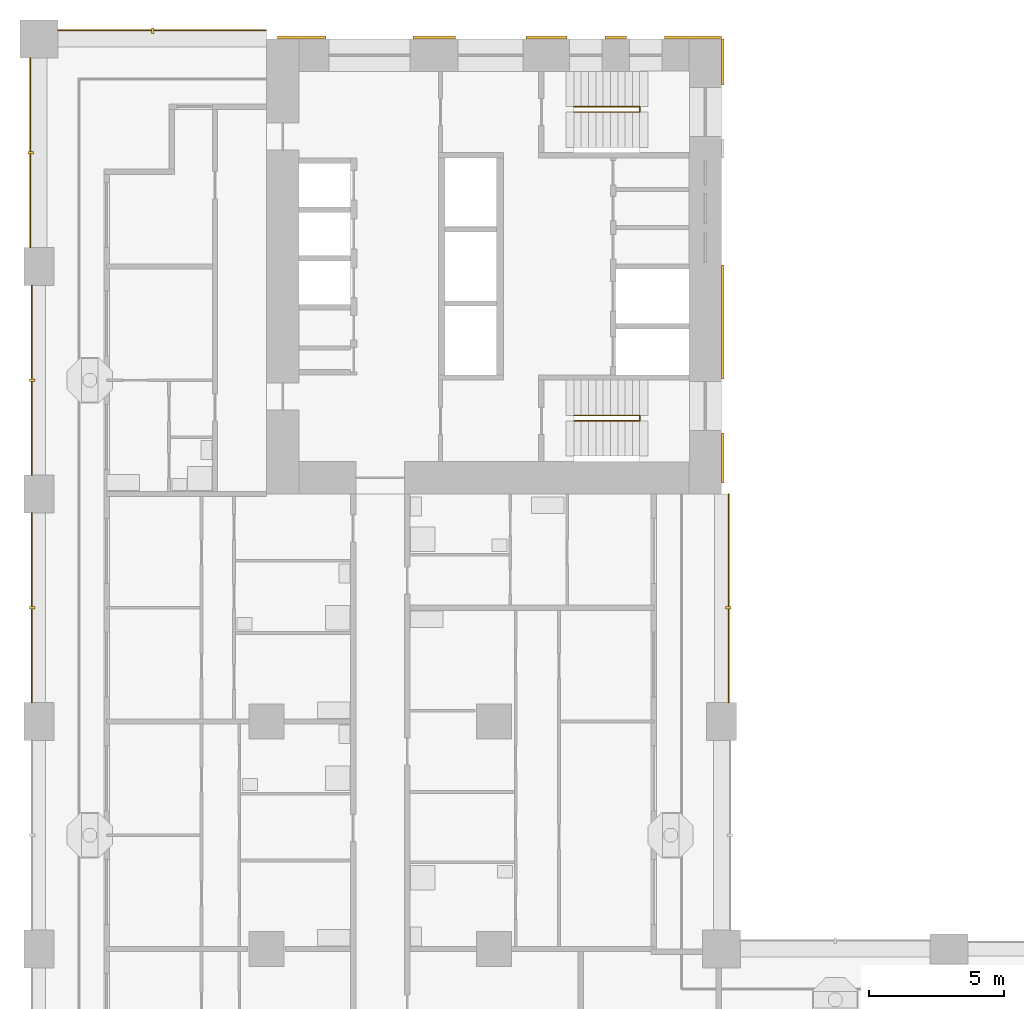
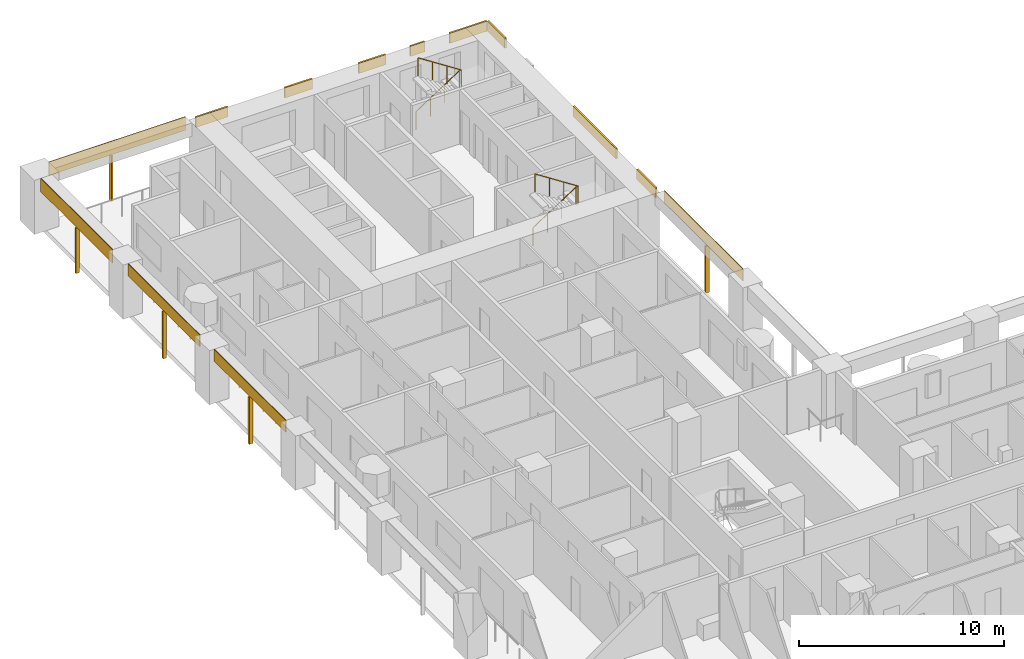
# One storey, part 16 of 22: 18 shading devices, 2 railings.
"""IFC4 building model written with IfcOpenShell, lengths in metres."""

from ifc_helpers import new_model, si_unit, direction, frame, origin, origin_2d, place, context, subcontext, project, spatial, rectangle, circle, extrude, material, layer, layer_set, material_profile, profile_set, type_object, element, save


model = new_model("IFC4")

# Units and contexts
model_context = context("Model", 3, precision=1e-05, world=origin(), true_north=direction((0.0, 1.0)))
body_context = subcontext(model_context, "Body", "Model", "MODEL_VIEW")
ifc_project = project(units=[si_unit("LENGTHUNIT", "METRE"), si_unit("AREAUNIT", "SQUARE_METRE"), si_unit("VOLUMEUNIT", "CUBIC_METRE"), si_unit("PLANEANGLEUNIT", "RADIAN"), si_unit("MASSUNIT", "GRAM", prefix="KILO")], contexts=[model_context])

# Site, building, storey
site_placement = place(None, origin())
site = spatial("IfcSite", under=ifc_project, at=site_placement, CompositionType="ELEMENT")
building_placement = place(site_placement, origin())
building = spatial("IfcBuilding", under=site, at=building_placement, Name="Vermilion Gate Residences", CompositionType="ELEMENT")
storey_placement = place(building_placement, frame((0.0, 0.0, 56.699951171875)))
storey = spatial("IfcBuildingStorey", under=building, at=storey_placement, Name="L13", CompositionType="ELEMENT", Elevation=56.699951171875)

# Shading devices
ifc_material_1 = material(Name="Perforated terracotta", Category="masonry")
ifc_layer_1 = layer(ifc_material_1, 0.0400390625)
ifc_layer_set_1 = layer_set([ifc_layer_1], Name="PERFORATED TERRACOTTA SCREEN 40")
shading_device_type_1 = type_object("IfcShadingDeviceType", Name="PERFORATED TERRACOTTA SCREEN 40", PredefinedType="SHUTTER", material=ifc_layer_set_1)
shading_device_1_placement = place(storey_placement, frame((25.469970703125, 38.14990234375, 2.52001953125), z_axis=(0.0, 0.0, 1.0), x_axis=(0.0, 1.0, 0.0)))
element("IfcShadingDevice", 1, at=shading_device_1_placement, inside=storey, type_object=shading_device_type_1, Name="SCREEN", PredefinedType="SHUTTER", context=body_context, shape_type="SweptSolid", body=[
    extrude(rectangle(XDim=7.699951171875, YDim=0.0400390625, at=origin_2d()), origin(), (0.0, 0.0, 1.0), 0.699951171875),
])
shading_device_2_placement = place(storey_placement, frame((4.550048828125, 59.1201171875, 2.419921875), z_axis=(0.0, 0.0, 1.0), x_axis=(-1.0, 0.0, 0.0)))
element("IfcShadingDevice", 2, at=shading_device_2_placement, inside=storey, type_object=shading_device_type_1, Name="SCREEN", PredefinedType="SHUTTER", context=body_context, shape_type="SweptSolid", body=[
    extrude(rectangle(XDim=7.699951171875, YDim=0.0400390625, at=origin_2d()), origin(), (0.0, 0.0, 1.0), 0.800048828125),
])
for number, where, z_axis, x_axis, name in (
    (3, (-0.27001953125, 37.800048828125, 2.52001953125), (0.0, 0.0, 1.0), (0.0, -1.0, 0.0), "SCREEN"),
    (4, (-0.27001953125, 46.199951171875, 2.52001953125), (0.0, 0.0, 1.0), (0.0, -1.0, 0.0), "SCREEN"),
):
    element("IfcShadingDevice", number, at=place(storey_placement, frame(where, z_axis=z_axis, x_axis=x_axis)), inside=storey, type_object=shading_device_type_1, Name=name, PredefinedType="SHUTTER", context=body_context, shape_type="SweptSolid", body=[
        extrude(rectangle(XDim=7.0, YDim=0.0400390625, at=origin_2d()), origin(), (0.0, 0.0, 1.0), 0.699951171875),
    ])
shading_device_3_placement = place(storey_placement, frame((-0.320068359375, 54.60009765625, 2.419921875), z_axis=(0.0, 0.0, 1.0), x_axis=(0.0, -1.0, 0.0)))
element("IfcShadingDevice", 5, at=shading_device_3_placement, inside=storey, type_object=shading_device_type_1, Name="SCREEN", PredefinedType="SHUTTER", context=body_context, shape_type="SweptSolid", body=[
    extrude(rectangle(XDim=7.0, YDim=0.0400390625, at=origin_2d()), origin(), (0.0, 0.0, 1.0), 0.800048828125),
])

# Railings
ifc_material_2 = material(Name="Steel S355", Category="steel")
railing_type = type_object("IfcRailingType", Name="STAIR GUARD 1100 STEEL", PredefinedType="GUARDRAIL", material=ifc_material_2)
for number, where, name in (
    (6, (19.75, 56.300048828125, 0.175048828125), "Stair well guard STB1-13"),
    (7, (19.75, 44.89990234375, 0.175048828125), "Stair well guard STB2-13"),
):
    element("IfcRailing", number, at=place(storey_placement, frame(where)), inside=storey, type_object=railing_type, Name=name, PredefinedType="GUARDRAIL", context=body_context, shape_type="SweptSolid", body=[
        extrude(circle(Radius=0.02392578125, at=origin_2d()), frame((0.0, 0.0, 1.076171875), z_axis=(0.839153699163, 0.0, 0.543894354798), x_axis=(0.0, 1.0, 0.0)), (0.0, 0.0, 1.0), 2.895751953125),
        extrude(circle(Radius=0.02392578125, at=origin_2d()), frame((2.429931640625, 0.0, 2.65087890625), z_axis=(0.0, -0.752405939678, 0.658699705433), x_axis=(1.0, 0.0, 0.0)), (0.0, 0.0, 1.0), 0.265869140625),
        extrude(circle(Radius=0.02392578125, at=origin_2d()), frame((2.429931640625, -0.199951171875, 2.826171875), z_axis=(-0.839153699163, 0.0, 0.543894354798), x_axis=(0.0, -1.0, 0.0)), (0.0, 0.0, 1.0), 2.895751953125),
        extrude(circle(Radius=0.02099609375, at=origin_2d()), origin(), (0.0, 0.0, 1.0), 1.052001953125),
        extrude(circle(Radius=0.02099609375, at=origin_2d()), frame((0.81005859375, 0.0, 0.52490234375)), (0.0, 0.0, 1.0), 1.052001953125),
        extrude(circle(Radius=0.02099609375, at=origin_2d()), frame((1.619873046875, 0.0, 1.050048828125)), (0.0, 0.0, 1.0), 1.052001953125),
        extrude(circle(Radius=0.02099609375, at=origin_2d()), frame((2.429931640625, 0.0, 1.574951171875)), (0.0, 0.0, 1.0), 1.052001953125),
        extrude(circle(Radius=0.02099609375, at=origin_2d()), frame((2.429931640625, -0.199951171875, 1.75)), (0.0, 0.0, 1.0), 1.052001953125),
        extrude(circle(Radius=0.02099609375, at=origin_2d()), frame((1.619873046875, -0.199951171875, 2.27490234375)), (0.0, 0.0, 1.0), 1.052001953125),
        extrude(circle(Radius=0.02099609375, at=origin_2d()), frame((0.81005859375, -0.199951171875, 2.800048828125)), (0.0, 0.0, 1.0), 1.052001953125),
        extrude(circle(Radius=0.02099609375, at=origin_2d()), frame((0.0, -0.199951171875, 3.324951171875)), (0.0, 0.0, 1.0), 1.052001953125),
    ])

# Shading devices
ifc_material_3 = material(Name="Extruded terracotta", Category="masonry")
ifc_material_profile = material_profile(ifc_material_3, rectangle(XDim=0.199951171875, YDim=0.10009765625, at=origin_2d()), Name="BAGUETTE 100 X 200")
ifc_profile_set = profile_set([ifc_material_profile], Name="Extruded terracotta")
shading_device_type_2 = type_object("IfcShadingDeviceType", Name="TERRACOTTA BAGUETTE 100 X 200", PredefinedType="JALOUSIE", material=ifc_profile_set)
shading_device_4_placement = place(storey_placement, frame((25.449951171875, 37.800048828125, -0.280029296875), z_axis=(0.0, 0.0, 1.0), x_axis=(-1.0, 0.0, 0.0)))
element("IfcShadingDevice", 8, at=shading_device_4_placement, inside=storey, type_object=shading_device_type_2, Name="BAGUETTE", PredefinedType="JALOUSIE", context=body_context, shape_type="SweptSolid", body=[
    extrude(rectangle(XDim=0.199951171875, YDim=0.10009765625, at=origin_2d()), origin(), (0.0, 0.0, 1.0), 2.800048828125),
])
shading_device_5_placement = place(storey_placement, frame((4.199951171875, 59.10009765625, -0.280029296875), z_axis=(0.0, 0.0, 1.0), x_axis=(0.0, -1.0, 0.0)))
element("IfcShadingDevice", 9, at=shading_device_5_placement, inside=storey, type_object=shading_device_type_2, Name="BAGUETTE", PredefinedType="JALOUSIE", context=body_context, shape_type="SweptSolid", body=[
    extrude(rectangle(XDim=0.199951171875, YDim=0.10009765625, at=origin_2d()), origin(), (0.0, 0.0, 1.0), 2.7001953125),
])
for number, where, z_axis, x_axis, name in (
    (10, (-0.25, 37.800048828125, -0.280029296875), (0.0, 0.0, 1.0), (1.0, 0.0, 0.0), "BAGUETTE"),
    (11, (-0.25, 46.199951171875, -0.280029296875), (0.0, 0.0, 1.0), (1.0, 0.0, 0.0), "BAGUETTE"),
):
    element("IfcShadingDevice", number, at=place(storey_placement, frame(where, z_axis=z_axis, x_axis=x_axis)), inside=storey, type_object=shading_device_type_2, Name=name, PredefinedType="JALOUSIE", context=body_context, shape_type="SweptSolid", body=[
        extrude(rectangle(XDim=0.199951171875, YDim=0.10009765625, at=origin_2d()), origin(), (0.0, 0.0, 1.0), 2.800048828125),
    ])
shading_device_6_placement = place(storey_placement, frame((-0.300048828125, 54.60009765625, -0.280029296875), z_axis=(0.0, 0.0, 1.0), x_axis=(1.0, 0.0, 0.0)))
element("IfcShadingDevice", 12, at=shading_device_6_placement, inside=storey, type_object=shading_device_type_2, Name="BAGUETTE", PredefinedType="JALOUSIE", context=body_context, shape_type="SweptSolid", body=[
    extrude(rectangle(XDim=0.199951171875, YDim=0.10009765625, at=origin_2d()), origin(), (0.0, 0.0, 1.0), 2.7001953125),
])
ifc_material_4 = material(Name="Extruded terracotta", Category="masonry")
ifc_layer_2 = layer(ifc_material_4, 0.10009765625)
ifc_layer_set_2 = layer_set([ifc_layer_2], Name="TERRACOTTA SPANDREL BAND 600 X 100")
shading_device_type_3 = type_object("IfcShadingDeviceType", Name="TERRACOTTA SPANDREL BAND 600 X 100", PredefinedType="USERDEFINED", material=ifc_layer_set_2)
shading_device_7_placement = place(storey_placement, frame((9.702392578125, 58.85009765625, 2.6201171875), z_axis=(0.0, 0.0, 1.0), x_axis=(1.0, 0.0, 0.0)))
element("IfcShadingDevice", 13, at=shading_device_7_placement, inside=storey, type_object=shading_device_type_3, Name="SPANDREL BAND", ObjectType="BAND", PredefinedType="USERDEFINED", context=body_context, shape_type="SweptSolid", body=[
    extrude(rectangle(XDim=1.804931640625, YDim=0.10009765625, at=origin_2d()), origin(), (0.0, 0.0, 1.0), 0.60009765625),
])
shading_device_8_placement = place(storey_placement, frame((14.590087890625, 58.85009765625, 2.6201171875), z_axis=(0.0, 0.0, 1.0), x_axis=(1.0, 0.0, 0.0)))
element("IfcShadingDevice", 14, at=shading_device_8_placement, inside=storey, type_object=shading_device_type_3, Name="SPANDREL BAND", ObjectType="BAND", PredefinedType="USERDEFINED", context=body_context, shape_type="SweptSolid", body=[
    extrude(rectangle(XDim=1.570068359375, YDim=0.10009765625, at=origin_2d()), origin(), (0.0, 0.0, 1.0), 0.60009765625),
])
shading_device_9_placement = place(storey_placement, frame((18.734130859375, 58.85009765625, 2.6201171875), z_axis=(0.0, 0.0, 1.0), x_axis=(1.0, 0.0, 0.0)))
element("IfcShadingDevice", 15, at=shading_device_9_placement, inside=storey, type_object=shading_device_type_3, Name="SPANDREL BAND", ObjectType="BAND", PredefinedType="USERDEFINED", context=body_context, shape_type="SweptSolid", body=[
    extrude(rectangle(XDim=1.518310546875, YDim=0.10009765625, at=origin_2d()), origin(), (0.0, 0.0, 1.0), 0.60009765625),
])
shading_device_10_placement = place(storey_placement, frame((21.294921875, 58.85009765625, 2.6201171875), z_axis=(0.0, 0.0, 1.0), x_axis=(1.0, 0.0, 0.0)))
element("IfcShadingDevice", 16, at=shading_device_10_placement, inside=storey, type_object=shading_device_type_3, Name="SPANDREL BAND", ObjectType="BAND", PredefinedType="USERDEFINED", context=body_context, shape_type="SweptSolid", body=[
    extrude(rectangle(XDim=0.803466796875, YDim=0.10009765625, at=origin_2d()), origin(), (0.0, 0.0, 1.0), 0.60009765625),
])
shading_device_11_placement = place(storey_placement, frame((24.1484375, 58.85009765625, 2.6201171875), z_axis=(0.0, 0.0, 1.0), x_axis=(1.0, 0.0, 0.0)))
element("IfcShadingDevice", 17, at=shading_device_11_placement, inside=storey, type_object=shading_device_type_3, Name="SPANDREL BAND", ObjectType="BAND", PredefinedType="USERDEFINED", context=body_context, shape_type="SweptSolid", body=[
    extrude(rectangle(XDim=2.103271484375, YDim=0.10009765625, at=origin_2d()), origin(), (0.0, 0.0, 1.0), 0.60009765625),
])
shading_device_12_placement = place(storey_placement, frame((25.25, 43.324951171875, 2.6201171875), z_axis=(0.0, 0.0, 1.0), x_axis=(0.0, 1.0, 0.0)))
element("IfcShadingDevice", 18, at=shading_device_12_placement, inside=storey, type_object=shading_device_type_3, Name="SPANDREL BAND", ObjectType="BAND", PredefinedType="USERDEFINED", context=body_context, shape_type="SweptSolid", body=[
    extrude(rectangle(XDim=1.85009765625, YDim=0.10009765625, at=origin_2d()), origin(), (0.0, 0.0, 1.0), 0.60009765625),
])
shading_device_13_placement = place(storey_placement, frame((25.25, 48.35009765625, 2.6201171875), z_axis=(0.0, 0.0, 1.0), x_axis=(0.0, 1.0, 0.0)))
element("IfcShadingDevice", 19, at=shading_device_13_placement, inside=storey, type_object=shading_device_type_3, Name="SPANDREL BAND", ObjectType="BAND", PredefinedType="USERDEFINED", context=body_context, shape_type="SweptSolid", body=[
    extrude(rectangle(XDim=4.199951171875, YDim=0.10009765625, at=origin_2d()), origin(), (0.0, 0.0, 1.0), 0.60009765625),
])
shading_device_14_placement = place(storey_placement, frame((25.25, 57.949951171875, 2.6201171875), z_axis=(0.0, 0.0, 1.0), x_axis=(0.0, 1.0, 0.0)))
element("IfcShadingDevice", 20, at=shading_device_14_placement, inside=storey, type_object=shading_device_type_3, Name="SPANDREL BAND", ObjectType="BAND", PredefinedType="USERDEFINED", context=body_context, shape_type="SweptSolid", body=[
    extrude(rectangle(XDim=1.699951171875, YDim=0.10009765625, at=origin_2d()), origin(), (0.0, 0.0, 1.0), 0.60009765625),
])

save(model, "model.ifc")
